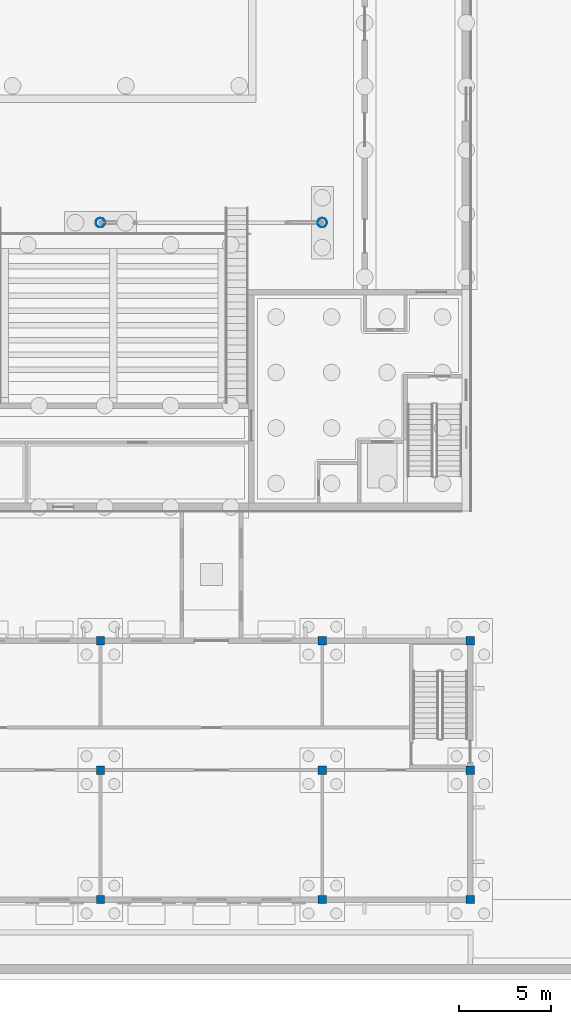
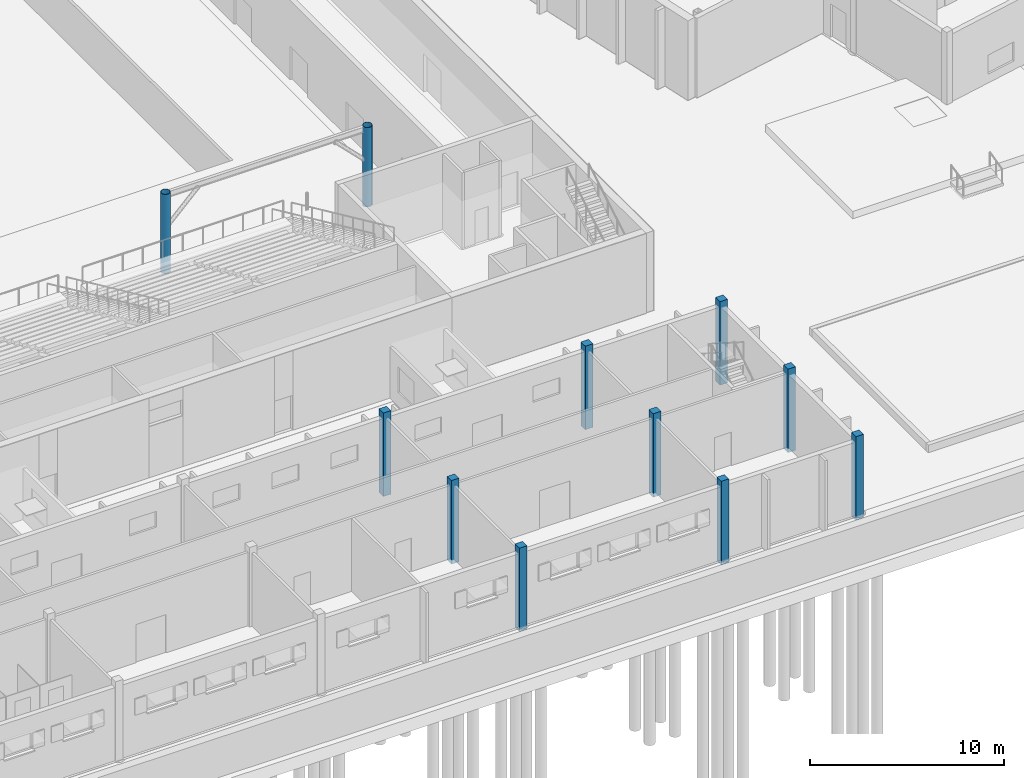
# One storey, part 20 of 157: 11 columns.
"""IFC4 building model written with IfcOpenShell, lengths in metres."""

from ifc_helpers import new_model, si_unit, direction, frame, origin, origin_2d, place, context, subcontext, project, spatial, rectangle, hollow_circle, extrude, material, material_profile, profile_set, type_object, element, save


model = new_model("IFC4")

# Units and contexts
model_context = context("Model", 3, precision=1e-05, world=origin(), true_north=direction((0.0, 1.0)))
body_context = subcontext(model_context, "Body", "Model", "MODEL_VIEW")
ifc_project = project(units=[si_unit("LENGTHUNIT", "METRE"), si_unit("AREAUNIT", "SQUARE_METRE"), si_unit("VOLUMEUNIT", "CUBIC_METRE"), si_unit("PLANEANGLEUNIT", "RADIAN"), si_unit("MASSUNIT", "GRAM", prefix="KILO")], contexts=[model_context])

# Site, building, storey
site_placement = place(None, origin())
site = spatial("IfcSite", under=ifc_project, at=site_placement, CompositionType="ELEMENT")
building_placement = place(site_placement, origin())
building = spatial("IfcBuilding", under=site, at=building_placement, Name="Windward Yard Aquatics Centre", CompositionType="ELEMENT")
storey_placement = place(building_placement, origin())
storey = spatial("IfcBuildingStorey", under=building, at=storey_placement, Name="L00", CompositionType="ELEMENT", Elevation=0.0)

# Columns
ifc_material_1 = material(Name="Concrete C35/45", Category="concrete")
ifc_material_profile_1 = material_profile(ifc_material_1, rectangle(XDim=0.449951171875, YDim=0.449951171875, at=origin_2d()), Name="RC 450X450")
ifc_profile_set_1 = profile_set([ifc_material_profile_1], Name="Concrete C35/45")
column_type_1 = type_object("IfcColumnType", Name="C column RC 450X450", PredefinedType="COLUMN", material=ifc_profile_set_1)
for number, where, z_axis, x_axis, name in (
    (1, (132.0, 5.0, -0.25), (0.0, 0.0, 1.0), (1.0, 0.0, 0.0), "C.COL.L00.8.1"),
    (2, (132.0, 12.0, -0.25), (0.0, 0.0, 1.0), (1.0, 0.0, 0.0), "C.COL.L00.8.2"),
    (3, (132.0, 19.0, -0.25), (0.0, 0.0, 1.0), (1.0, 0.0, 0.0), "C.COL.L00.8.3"),
    (4, (144.0, 5.0, -0.25), (0.0, 0.0, 1.0), (1.0, 0.0, 0.0), "C.COL.L00.9.1"),
    (5, (144.0, 12.0, -0.25), (0.0, 0.0, 1.0), (1.0, 0.0, 0.0), "C.COL.L00.9.2"),
    (6, (144.0, 19.0, -0.25), (0.0, 0.0, 1.0), (1.0, 0.0, 0.0), "C.COL.L00.9.3"),
    (7, (152.0, 5.0, -0.25), (0.0, 0.0, 1.0), (1.0, 0.0, 0.0), "C.COL.L00.10.1"),
    (8, (152.0, 12.0, -0.25), (0.0, 0.0, 1.0), (1.0, 0.0, 0.0), "C.COL.L00.10.2"),
    (9, (152.0, 19.0, -0.25), (0.0, 0.0, 1.0), (1.0, 0.0, 0.0), "C.COL.L00.10.3"),
):
    element("IfcColumn", number, at=place(storey_placement, frame(where, z_axis=z_axis, x_axis=x_axis)), inside=storey, type_object=column_type_1, Name=name, PredefinedType="COLUMN", context=body_context, shape_type="SweptSolid", body=[
        extrude(rectangle(XDim=0.449951171875, YDim=0.449951171875, at=origin_2d()), origin(), (0.0, 0.0, 1.0), 5.25),
    ])
ifc_material_2 = material(Name="Steel ASTM A500 Gr C", Category="steel")
ifc_material_profile_2 = material_profile(ifc_material_2, hollow_circle(Radius=0.25390625, WallThickness=0.015869140625, at=origin_2d()), Name="HSS508X15.9")
ifc_profile_set_2 = profile_set([ifc_material_profile_2], Name="Steel ASTM A500 Gr C")
column_type_2 = type_object("IfcColumnType", Name="H arch column HSS508X15.9", PredefinedType="COLUMN", material=ifc_profile_set_2)
for number, where, z_axis, x_axis, name in (
    (10, (132.0, 41.60009765625, 0.0), (0.0, 0.0, 1.0), (1.0, 0.0, 0.0), "H.AC.S7.L00"),
    (11, (144.0, 41.60009765625, 0.0), (0.0, 0.0, 1.0), (1.0, 0.0, 0.0), "H.AC.S8.L00"),
):
    element("IfcColumn", number, at=place(storey_placement, frame(where, z_axis=z_axis, x_axis=x_axis)), inside=storey, type_object=column_type_2, Name=name, PredefinedType="COLUMN", context=body_context, shape_type="SweptSolid", body=[
        extrude(hollow_circle(Radius=0.25390625, WallThickness=0.015869140625, at=origin_2d()), origin(), (0.0, 0.0, 1.0), 5.0),
    ])

save(model, "model.ifc")
